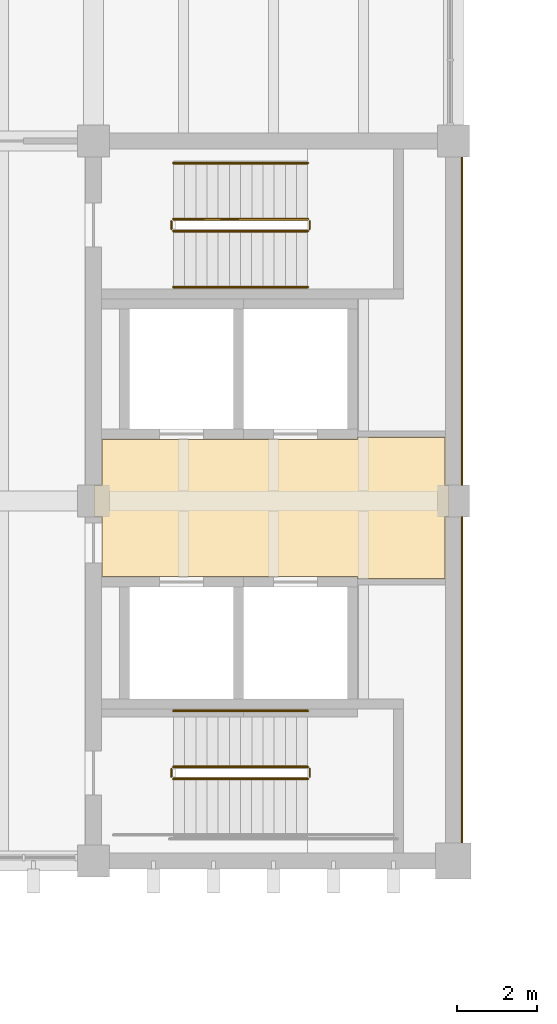
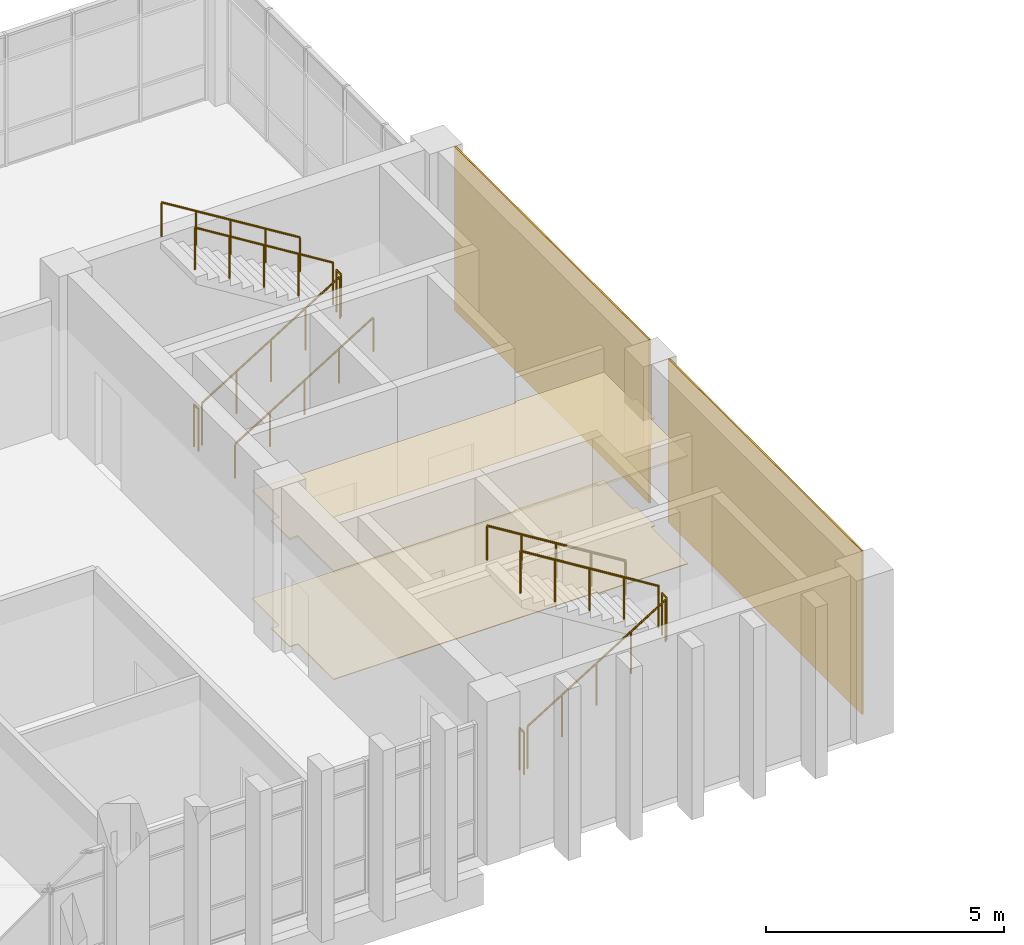
# One storey, part 28 of 29: 11 railings, 4 coverings.
"""IFC4 building model written with IfcOpenShell, lengths in metres."""

from ifc_helpers import new_model, si_unit, direction, frame, origin, origin_2d, place, context, subcontext, project, spatial, polyline, rectangle, circle, outline, extrude, material, layer, layer_set, type_object, element, save


model = new_model("IFC4")

# Units and contexts
model_context = context("Model", 3, precision=1e-05, world=origin(), true_north=direction((0.0, 1.0)))
body_context = subcontext(model_context, "Body", "Model", "MODEL_VIEW")
ifc_project = project(units=[si_unit("LENGTHUNIT", "METRE"), si_unit("AREAUNIT", "SQUARE_METRE"), si_unit("VOLUMEUNIT", "CUBIC_METRE"), si_unit("PLANEANGLEUNIT", "RADIAN"), si_unit("MASSUNIT", "GRAM", prefix="KILO")], contexts=[model_context])

# Site, building, storey
site_placement = place(None, origin())
site = spatial("IfcSite", under=ifc_project, at=site_placement, CompositionType="ELEMENT")
building_placement = place(site_placement, origin())
building = spatial("IfcBuilding", under=site, at=building_placement, Name="Merrow Basin Faculty of Sciences", CompositionType="ELEMENT")
storey_placement = place(building_placement, frame((0.0, 0.0, 22.5)))
storey = spatial("IfcBuildingStorey", under=building, at=storey_placement, Name="L05", CompositionType="ELEMENT", Elevation=22.5)

# Covering
ifc_material_1 = material(Name="Polished terrazzo floor")
ifc_layer_1 = layer(ifc_material_1, 0.02001953125)
ifc_layer_set_1 = layer_set([ifc_layer_1], Name="Polished terrazzo floor")
covering_type_1 = type_object("IfcCoveringType", Name="Polished terrazzo floor", PredefinedType="FLOORING", material=ifc_layer_set_1)
covering_1_placement = place(storey_placement, origin())
element("IfcCovering", 1, at=covering_1_placement, inside=storey, type_object=covering_type_1, Name="Floor finish L05-T-007", PredefinedType="FLOORING", context=body_context, shape_type="SweptSolid", body=[
    extrude(outline(polyline([(45.010009765625, 151.389892578125), (45.2099609375, 151.389892578125), (45.2099609375, 152.5400390625), (51.610107421875, 152.5400390625), (51.610107421875, 152.590087890625), (53.7900390625, 152.590087890625), (53.7900390625, 151.389892578125), (53.889892578125, 151.389892578125), (53.889892578125, 150.610107421875), (53.7900390625, 150.610107421875), (53.7900390625, 149.06005859375), (51.610107421875, 149.06005859375), (51.610107421875, 149.110107421875), (45.2099609375, 149.110107421875), (45.2099609375, 150.610107421875), (45.010009765625, 150.610107421875), (45.010009765625, 151.389892578125)])), origin(), (0.0, 0.0, 1.0), 0.02001953125),
])

# Railings
ifc_material_2 = material(Name="Steel ASTM A36", Category="steel")
railing_type_1 = type_object("IfcRailingType", Name="Steel guard 1100", PredefinedType="GUARDRAIL", material=ifc_material_2)
railing_1_placement = place(storey_placement, frame((47.0, 157.75, 0.173095703125)))
element("IfcRailing", 2, at=railing_1_placement, inside=storey, type_object=railing_type_1, Name="L05 ST-V5-S stair guard 1", PredefinedType="GUARDRAIL", context=body_context, shape_type="SweptSolid", body=[
    extrude(circle(Radius=0.02392578125, at=origin_2d()), frame((0.0, 0.0, 1.076171875), z_axis=(0.850623216509, 0.0, 0.525775754039), x_axis=(0.0, 1.0, 0.0)), (0.0, 0.0, 1.0), 3.9501953125),
    extrude(circle(Radius=0.02099609375, at=origin_2d()), origin(), (0.0, 0.0, 1.0), 1.052001953125),
    extrude(circle(Radius=0.02099609375, at=origin_2d()), frame((0.840087890625, 0.0, 0.519287109375)), (0.0, 0.0, 1.0), 1.052001953125),
    extrude(circle(Radius=0.02099609375, at=origin_2d()), frame((1.68017578125, 0.0, 1.03857421875)), (0.0, 0.0, 1.0), 1.052001953125),
    extrude(circle(Radius=0.02099609375, at=origin_2d()), frame((2.52001953125, 0.0, 1.5576171875)), (0.0, 0.0, 1.0), 1.052001953125),
    extrude(circle(Radius=0.02099609375, at=origin_2d()), frame((3.360107421875, 0.0, 2.076904296875)), (0.0, 0.0, 1.0), 1.052001953125),
])
railing_2_placement = place(storey_placement, frame((50.409912109375, 157.800048828125, 2.25)))
element("IfcRailing", 3, at=railing_2_placement, inside=storey, type_object=railing_type_1, Name="L05 ST-V5-S stair guard 2", PredefinedType="GUARDRAIL", context=body_context, shape_type="SweptSolid", body=[
    extrude(circle(Radius=0.02392578125, at=origin_2d()), frame((0.0, 0.0, 1.076171875), z_axis=(0.0, 1.0, 0.0), x_axis=(-1.0, 0.0, 0.0)), (0.0, 0.0, 1.0), 0.199951171875),
    extrude(circle(Radius=0.02099609375, at=origin_2d()), origin(), (0.0, 0.0, 1.0), 1.052001953125),
    extrude(circle(Radius=0.02099609375, at=origin_2d()), frame((0.0, 0.199951171875, 0.0)), (0.0, 0.0, 1.0), 1.052001953125),
])
railing_3_placement = place(storey_placement, frame((50.360107421875, 158.050048828125, 2.423095703125)))
element("IfcRailing", 4, at=railing_3_placement, inside=storey, type_object=railing_type_1, Name="L05 ST-V5-S stair guard 3", PredefinedType="GUARDRAIL", context=body_context, shape_type="SweptSolid", body=[
    extrude(circle(Radius=0.02392578125, at=origin_2d()), frame((0.0, 0.0, 1.076171875), z_axis=(-0.850623216509, 0.0, 0.525775754039), x_axis=(0.0, -1.0, 0.0)), (0.0, 0.0, 1.0), 3.9501953125),
    extrude(circle(Radius=0.02099609375, at=origin_2d()), origin(), (0.0, 0.0, 1.0), 1.052001953125),
    extrude(circle(Radius=0.02099609375, at=origin_2d()), frame((-0.840087890625, 0.0, 0.519287109375)), (0.0, 0.0, 1.0), 1.052001953125),
    extrude(circle(Radius=0.02099609375, at=origin_2d()), frame((-1.68017578125, 0.0, 1.03857421875)), (0.0, 0.0, 1.0), 1.052001953125),
    extrude(circle(Radius=0.02099609375, at=origin_2d()), frame((-2.52001953125, 0.0, 1.5576171875)), (0.0, 0.0, 1.0), 1.052001953125),
    extrude(circle(Radius=0.02099609375, at=origin_2d()), frame((-3.360107421875, 0.0, 2.076904296875)), (0.0, 0.0, 1.0), 1.052001953125),
])
railing_4_placement = place(storey_placement, frame((46.949951171875, 157.800048828125, 0.0)))
element("IfcRailing", 5, at=railing_4_placement, inside=storey, type_object=railing_type_1, Name="L05 ST-V5-S stair guard 4", PredefinedType="GUARDRAIL", context=body_context, shape_type="SweptSolid", body=[
    extrude(circle(Radius=0.02392578125, at=origin_2d()), frame((0.0, 0.0, 1.076171875), z_axis=(0.0, 1.0, 0.0), x_axis=(-1.0, 0.0, 0.0)), (0.0, 0.0, 1.0), 0.199951171875),
    extrude(circle(Radius=0.02099609375, at=origin_2d()), origin(), (0.0, 0.0, 1.0), 1.052001953125),
    extrude(circle(Radius=0.02099609375, at=origin_2d()), frame((0.0, 0.199951171875, 0.0)), (0.0, 0.0, 1.0), 1.052001953125),
])
railing_5_placement = place(storey_placement, frame((47.0, 144.050048828125, 0.173095703125)))
element("IfcRailing", 6, at=railing_5_placement, inside=storey, type_object=railing_type_1, Name="L05 ST-V5-N stair guard 1", PredefinedType="GUARDRAIL", context=body_context, shape_type="SweptSolid", body=[
    extrude(circle(Radius=0.02392578125, at=origin_2d()), frame((0.0, 0.0, 1.076171875), z_axis=(0.850623216509, 0.0, 0.525775754039), x_axis=(0.0, 1.0, 0.0)), (0.0, 0.0, 1.0), 3.9501953125),
    extrude(circle(Radius=0.02099609375, at=origin_2d()), origin(), (0.0, 0.0, 1.0), 1.052001953125),
    extrude(circle(Radius=0.02099609375, at=origin_2d()), frame((0.840087890625, 0.0, 0.519287109375)), (0.0, 0.0, 1.0), 1.052001953125),
    extrude(circle(Radius=0.02099609375, at=origin_2d()), frame((1.68017578125, 0.0, 1.03857421875)), (0.0, 0.0, 1.0), 1.052001953125),
    extrude(circle(Radius=0.02099609375, at=origin_2d()), frame((2.52001953125, 0.0, 1.5576171875)), (0.0, 0.0, 1.0), 1.052001953125),
    extrude(circle(Radius=0.02099609375, at=origin_2d()), frame((3.360107421875, 0.0, 2.076904296875)), (0.0, 0.0, 1.0), 1.052001953125),
])
railing_6_placement = place(storey_placement, frame((50.409912109375, 144.10009765625, 2.25)))
element("IfcRailing", 7, at=railing_6_placement, inside=storey, type_object=railing_type_1, Name="L05 ST-V5-N stair guard 2", PredefinedType="GUARDRAIL", context=body_context, shape_type="SweptSolid", body=[
    extrude(circle(Radius=0.02392578125, at=origin_2d()), frame((0.0, 0.0, 1.076171875), z_axis=(0.0, 1.0, 0.0), x_axis=(-1.0, 0.0, 0.0)), (0.0, 0.0, 1.0), 0.199951171875),
    extrude(circle(Radius=0.02099609375, at=origin_2d()), origin(), (0.0, 0.0, 1.0), 1.052001953125),
    extrude(circle(Radius=0.02099609375, at=origin_2d()), frame((0.0, 0.199951171875, 0.0)), (0.0, 0.0, 1.0), 1.052001953125),
])
railing_7_placement = place(storey_placement, frame((50.360107421875, 144.35009765625, 2.423095703125)))
element("IfcRailing", 8, at=railing_7_placement, inside=storey, type_object=railing_type_1, Name="L05 ST-V5-N stair guard 4", PredefinedType="GUARDRAIL", context=body_context, shape_type="SweptSolid", body=[
    extrude(circle(Radius=0.02392578125, at=origin_2d()), frame((0.0, 0.0, 1.076171875), z_axis=(-0.850623216509, 0.0, 0.525775754039), x_axis=(0.0, -1.0, 0.0)), (0.0, 0.0, 1.0), 3.9501953125),
    extrude(circle(Radius=0.02099609375, at=origin_2d()), origin(), (0.0, 0.0, 1.0), 1.052001953125),
    extrude(circle(Radius=0.02099609375, at=origin_2d()), frame((-0.840087890625, 0.0, 0.519287109375)), (0.0, 0.0, 1.0), 1.052001953125),
    extrude(circle(Radius=0.02099609375, at=origin_2d()), frame((-1.68017578125, 0.0, 1.03857421875)), (0.0, 0.0, 1.0), 1.052001953125),
    extrude(circle(Radius=0.02099609375, at=origin_2d()), frame((-2.52001953125, 0.0, 1.5576171875)), (0.0, 0.0, 1.0), 1.052001953125),
    extrude(circle(Radius=0.02099609375, at=origin_2d()), frame((-3.360107421875, 0.0, 2.076904296875)), (0.0, 0.0, 1.0), 1.052001953125),
])
railing_8_placement = place(storey_placement, frame((46.949951171875, 144.10009765625, 0.0)))
element("IfcRailing", 9, at=railing_8_placement, inside=storey, type_object=railing_type_1, Name="L05 ST-V5-N stair guard 5", PredefinedType="GUARDRAIL", context=body_context, shape_type="SweptSolid", body=[
    extrude(circle(Radius=0.02392578125, at=origin_2d()), frame((0.0, 0.0, 1.076171875), z_axis=(0.0, 1.0, 0.0), x_axis=(-1.0, 0.0, 0.0)), (0.0, 0.0, 1.0), 0.199951171875),
    extrude(circle(Radius=0.02099609375, at=origin_2d()), origin(), (0.0, 0.0, 1.0), 1.052001953125),
    extrude(circle(Radius=0.02099609375, at=origin_2d()), frame((0.0, 0.199951171875, 0.0)), (0.0, 0.0, 1.0), 1.052001953125),
])
ifc_material_3 = material(Name="Steel ASTM A36", Category="steel")
railing_type_2 = type_object("IfcRailingType", Name="Steel handrail 900", PredefinedType="HANDRAIL", material=ifc_material_3)
railing_9_placement = place(storey_placement, frame((47.0, 156.35009765625, 0.173095703125)))
element("IfcRailing", 10, at=railing_9_placement, inside=storey, type_object=railing_type_2, Name="L05 ST-V5-S stair handrail 1", PredefinedType="HANDRAIL", context=body_context, shape_type="SweptSolid", body=[
    extrude(circle(Radius=0.02392578125, at=origin_2d()), frame((0.0, 0.0, 0.8759765625), z_axis=(0.850623216509, 0.0, 0.525775754039), x_axis=(0.0, 1.0, 0.0)), (0.0, 0.0, 1.0), 3.9501953125),
    extrude(circle(Radius=0.02099609375, at=origin_2d()), origin(), (0.0, 0.0, 1.0), 0.851806640625),
    extrude(circle(Radius=0.02099609375, at=origin_2d()), frame((0.840087890625, 0.0, 0.519287109375)), (0.0, 0.0, 1.0), 0.851806640625),
    extrude(circle(Radius=0.02099609375, at=origin_2d()), frame((1.68017578125, 0.0, 1.03857421875)), (0.0, 0.0, 1.0), 0.851806640625),
    extrude(circle(Radius=0.02099609375, at=origin_2d()), frame((2.52001953125, 0.0, 1.5576171875)), (0.0, 0.0, 1.0), 0.851806640625),
    extrude(circle(Radius=0.02099609375, at=origin_2d()), frame((3.360107421875, 0.0, 2.076904296875)), (0.0, 0.0, 1.0), 0.851806640625),
])
for number, where, name in (
    (11, (50.360107421875, 159.449951171875, 2.423095703125), "L05 ST-V5-S stair handrail 2"),
    (12, (50.360107421875, 145.75, 2.423095703125), "L05 ST-V5-N stair handrail 2"),
):
    element("IfcRailing", number, at=place(storey_placement, frame(where)), inside=storey, type_object=railing_type_2, Name=name, PredefinedType="HANDRAIL", context=body_context, shape_type="SweptSolid", body=[
        extrude(circle(Radius=0.02392578125, at=origin_2d()), frame((0.0, 0.0, 0.8759765625), z_axis=(-0.850623216509, 0.0, 0.525775754039), x_axis=(0.0, -1.0, 0.0)), (0.0, 0.0, 1.0), 3.9501953125),
        extrude(circle(Radius=0.02099609375, at=origin_2d()), origin(), (0.0, 0.0, 1.0), 0.851806640625),
        extrude(circle(Radius=0.02099609375, at=origin_2d()), frame((-0.840087890625, 0.0, 0.519287109375)), (0.0, 0.0, 1.0), 0.851806640625),
        extrude(circle(Radius=0.02099609375, at=origin_2d()), frame((-1.68017578125, 0.0, 1.03857421875)), (0.0, 0.0, 1.0), 0.851806640625),
        extrude(circle(Radius=0.02099609375, at=origin_2d()), frame((-2.52001953125, 0.0, 1.5576171875)), (0.0, 0.0, 1.0), 0.851806640625),
        extrude(circle(Radius=0.02099609375, at=origin_2d()), frame((-3.360107421875, 0.0, 2.076904296875)), (0.0, 0.0, 1.0), 0.851806640625),
    ])

# Coverings
ifc_material_4 = material(Name="Mineral fibre ceiling tile")
ifc_layer_2 = layer(ifc_material_4, 0.050048828125)
ifc_layer_set_2 = layer_set([ifc_layer_2], Name="Suspended acoustic ceiling tile")
covering_type_2 = type_object("IfcCoveringType", Name="Suspended acoustic ceiling tile", PredefinedType="CEILING", material=ifc_layer_set_2)
covering_2_placement = place(storey_placement, frame((0.0, 0.0, 2.75)))
element("IfcCovering", 13, at=covering_2_placement, inside=storey, type_object=covering_type_2, Name="Ceiling L05-T-007", PredefinedType="CEILING", context=body_context, shape_type="SweptSolid", body=[
    extrude(outline(polyline([(45.010009765625, 151.389892578125), (45.2099609375, 151.389892578125), (45.2099609375, 152.5400390625), (51.610107421875, 152.5400390625), (51.610107421875, 152.590087890625), (53.7900390625, 152.590087890625), (53.7900390625, 151.389892578125), (53.889892578125, 151.389892578125), (53.889892578125, 150.610107421875), (53.7900390625, 150.610107421875), (53.7900390625, 149.06005859375), (51.610107421875, 149.06005859375), (51.610107421875, 149.110107421875), (45.2099609375, 149.110107421875), (45.2099609375, 150.610107421875), (45.010009765625, 150.610107421875), (45.010009765625, 151.389892578125)])), origin(), (0.0, 0.0, 1.0), 0.050048828125),
])
ifc_material_5 = material(Name="White powder-coated aluminium", Category="aluminium")
ifc_layer_3 = layer(ifc_material_5, 0.0400390625)
ifc_layer_set_3 = layer_set([ifc_layer_3], Name="White precast cladding 40")
covering_type_3 = type_object("IfcCoveringType", Name="White precast cladding 40", PredefinedType="CLADDING", material=ifc_layer_set_3)
covering_3_placement = place(storey_placement, frame((54.219970703125, 155.5, 0.0), z_axis=(0.0, 0.0, 1.0), x_axis=(1.0, 0.0, 0.0)))
element("IfcCovering", 14, at=covering_3_placement, inside=storey, type_object=covering_type_3, Name="White core cladding", PredefinedType="CLADDING", context=body_context, shape_type="SweptSolid", body=[
    extrude(rectangle(XDim=0.0400390625, YDim=8.199951171875, at=origin_2d()), origin(), (0.0, 0.0, 1.0), 4.199951171875),
])
covering_4_placement = place(storey_placement, frame((54.219970703125, 146.52490234375, 0.0), z_axis=(0.0, 0.0, 1.0), x_axis=(1.0, 0.0, 0.0)))
element("IfcCovering", 15, at=covering_4_placement, inside=storey, type_object=covering_type_3, Name="White core cladding", PredefinedType="CLADDING", context=body_context, shape_type="SweptSolid", body=[
    extrude(rectangle(XDim=0.0400390625, YDim=8.14990234375, at=origin_2d()), origin(), (0.0, 0.0, 1.0), 4.199951171875),
])

save(model, "model.ifc")
